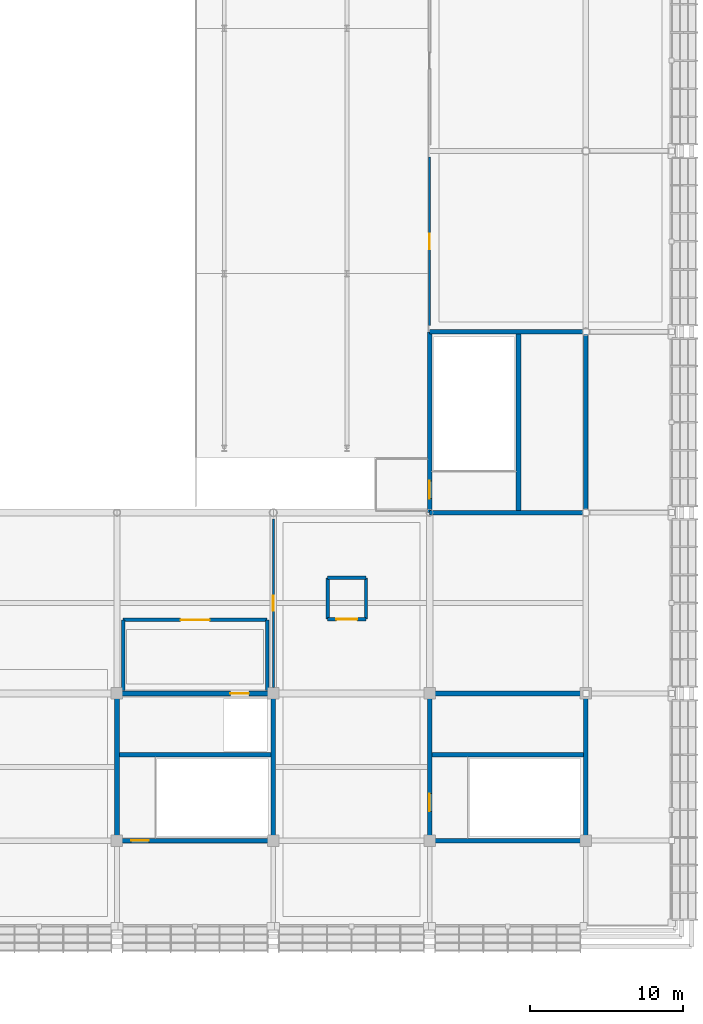
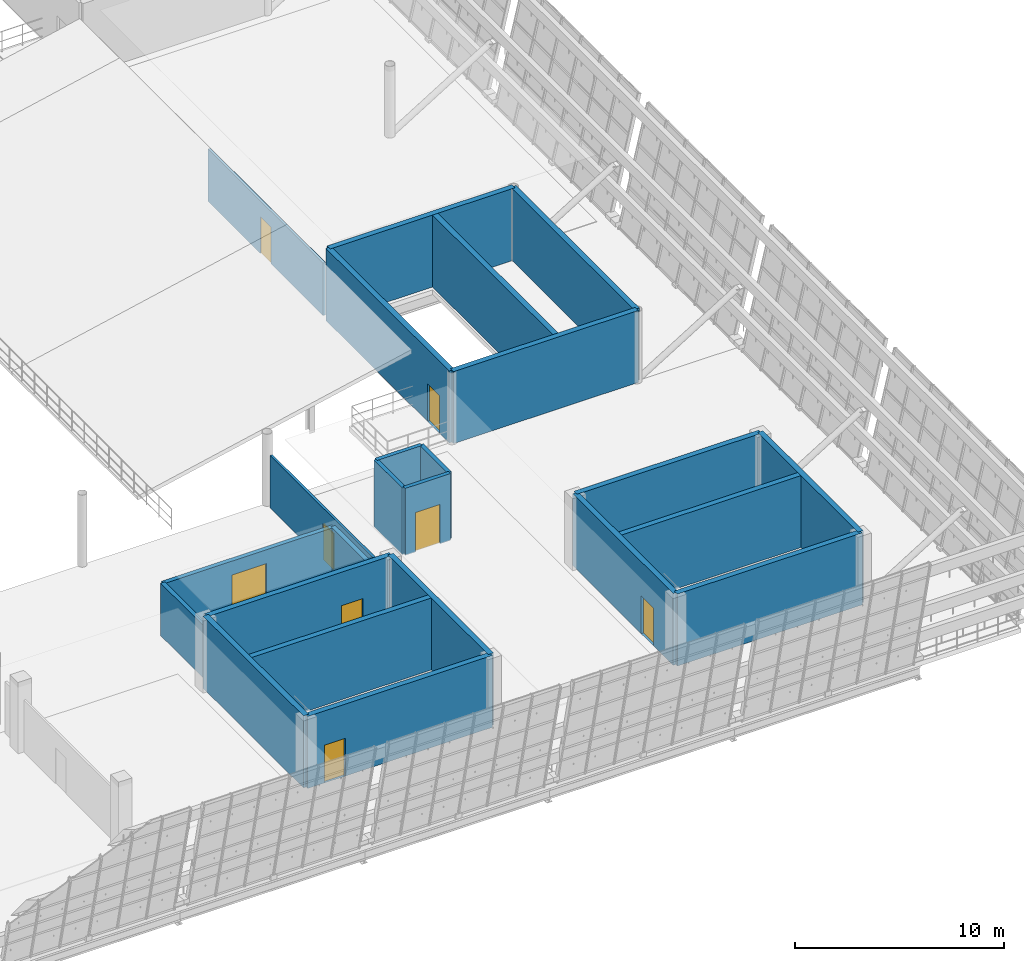
# One storey, part 130 of 157: 24 walls, 8 doors, 8 openings.
"""IFC4 building model written with IfcOpenShell, lengths in metres."""

from ifc_helpers import new_model, si_unit, direction, frame, frame_2d, origin, place, context, subcontext, project, spatial, rectangle, extrude, material, layer, layer_set, type_object, element, fill, save


model = new_model("IFC4")

# Units and contexts
model_context = context("Model", 3, precision=1e-05, world=origin(), true_north=direction((0.0, 1.0)))
body_context = subcontext(model_context, "Body", "Model", "MODEL_VIEW")
ifc_project = project(units=[si_unit("LENGTHUNIT", "METRE"), si_unit("AREAUNIT", "SQUARE_METRE"), si_unit("VOLUMEUNIT", "CUBIC_METRE"), si_unit("PLANEANGLEUNIT", "RADIAN"), si_unit("MASSUNIT", "GRAM", prefix="KILO")], contexts=[model_context])

# Site, building, storey
site_placement = place(None, origin())
site = spatial("IfcSite", under=ifc_project, at=site_placement, CompositionType="ELEMENT")
building_placement = place(site_placement, origin())
building = spatial("IfcBuilding", under=site, at=building_placement, Name="Brelvane Convention Centre", CompositionType="ELEMENT")
storey_placement = place(building_placement, frame((0.0, 0.0, 10.800048828125)))
storey = spatial("IfcBuildingStorey", under=building, at=storey_placement, Name="L02", CompositionType="ELEMENT", Elevation=10.800048828125)

# Wall, opening, door
ifc_material_1 = material(Name="Concrete M40", Category="concrete")
ifc_layer_1 = layer(ifc_material_1, 0.219970703125)
ifc_layer_set_1 = layer_set([ifc_layer_1], Name="Concrete M40")
wall_type_1 = type_object("IfcWallType", Name="Interior Wall IW-FR-220", PredefinedType="PARTITIONING", material=ifc_layer_set_1)
wall_1_placement = place(storey_placement, frame((207.550048828125, 33.64990234375, 0.0), z_axis=(0.0, 0.0, 1.0), x_axis=(1.0, 0.0, 0.0)))
wall_1 = element("IfcWall", 1, at=wall_1_placement, inside=storey, type_object=wall_type_1, Name="Lift LP-05 Shaft Wall S (L02)", PredefinedType="PARTITIONING", context=body_context, shape_type="SweptSolid", body=[
    extrude(rectangle(XDim=2.5, YDim=0.219970703125, at=frame_2d((1.25, 0.0))), origin(), (0.0, 0.0, 1.0), 3.89990234375),
])
opening_1_placement = place(wall_1_placement, frame((0.574951171875, 0.0, 0.0)))
opening_1 = element("IfcOpeningElement", 2, at=opening_1_placement, cuts=wall_1, Name="Opening LD-03", PredefinedType="OPENING", context=body_context, shape_type="SweptSolid", body=[
    extrude(rectangle(XDim=1.35009765625, YDim=2.300048828125, at=frame_2d((0.675048828125, 1.14990234375))), frame((0.0, 0.119873046875, 0.0), z_axis=(0.0, -1.0, 0.0), x_axis=(1.0, 0.0, 0.0)), (0.0, 0.0, 1.0), 0.239990234375),
])
ifc_material_2 = material(Name="Galvanised Hollow-Metal Fire Door Steel E250", Category="steel")
door_type_1 = type_object("IfcDoorType", Name="Interior Door LD-03", OperationType="NOTDEFINED", PredefinedType="DOOR", material=ifc_material_2)
door_1_placement = place(opening_1_placement, origin())
door_1 = element("IfcDoor", 3, at=door_1_placement, inside=storey, type_object=door_type_1, Name="Lift LP-05 Landing Door (L02)", OperationType="DOUBLE_DOOR_SLIDING", OverallHeight=2.300048828125, OverallWidth=1.35009765625, PredefinedType="DOOR", context=body_context, shape_type="SweptSolid", body=[
    extrude(rectangle(XDim=1.35009765625, YDim=2.300048828125, at=frame_2d((0.675048828125, 1.14990234375))), frame((0.0, 0.02490234375, 0.0), z_axis=(0.0, -1.0, 0.0), x_axis=(1.0, 0.0, 0.0)), (0.0, 0.0, 1.0), 0.050048828125),
])
fill(opening_1, door_1)

# Walls
wall_2_placement = place(storey_placement, frame((207.550048828125, 36.35009765625, 0.0), z_axis=(0.0, 0.0, 1.0), x_axis=(1.0, 0.0, 0.0)))
element("IfcWall", 4, at=wall_2_placement, inside=storey, type_object=wall_type_1, Name="Lift LP-05 Shaft Wall N (L02)", PredefinedType="PARTITIONING", context=body_context, shape_type="SweptSolid", body=[
    extrude(rectangle(XDim=2.5, YDim=0.219970703125, at=frame_2d((1.25, 0.0))), origin(), (0.0, 0.0, 1.0), 3.89990234375),
])
for number, where, z_axis, x_axis, name in (
    (5, (207.550048828125, 33.64990234375, 0.0), (0.0, 0.0, 1.0), (0.0, 1.0, 0.0), "Lift LP-05 Shaft Wall W (L02)"),
    (6, (210.050048828125, 33.64990234375, 0.0), (0.0, 0.0, 1.0), (0.0, 1.0, 0.0), "Lift LP-05 Shaft Wall E (L02)"),
):
    element("IfcWall", number, at=place(storey_placement, frame(where, z_axis=z_axis, x_axis=x_axis)), inside=storey, type_object=wall_type_1, Name=name, PredefinedType="PARTITIONING", context=body_context, shape_type="SweptSolid", body=[
        extrude(rectangle(XDim=2.7001953125, YDim=0.219970703125, at=frame_2d((1.35009765625, 0.0))), origin(), (0.0, 0.0, 1.0), 3.89990234375),
    ])

# Wall, opening, door
ifc_material_3 = material(Name="Concrete M40", Category="concrete")
ifc_layer_2 = layer(ifc_material_3, 0.239990234375)
ifc_layer_set_2 = layer_set([ifc_layer_2], Name="Concrete M40")
wall_type_2 = type_object("IfcWallType", Name="Interior Wall IW-FR-240", PredefinedType="PARTITIONING", material=ifc_layer_set_2)
wall_3_placement = place(storey_placement, frame((194.199951171875, 33.60009765625, 0.0), z_axis=(0.0, 0.0, 1.0), x_axis=(1.0, 0.0, 0.0)))
wall_3 = element("IfcWall", 7, at=wall_3_placement, inside=storey, type_object=wall_type_2, Name="Firefighting Lobby C8 Wall N (L02)", PredefinedType="PARTITIONING", context=body_context, shape_type="SweptSolid", body=[
    extrude(rectangle(XDim=9.400146484375, YDim=0.239990234375, at=frame_2d((4.7001953125, 0.0))), origin(), (0.0, 0.0, 1.0), 3.06005859375),
])
opening_2_placement = place(wall_3_placement, frame((3.75, 0.0, 0.0)))
opening_2 = element("IfcOpeningElement", 8, at=opening_2_placement, cuts=wall_3, Name="Opening DR-FL-01", PredefinedType="OPENING", context=body_context, shape_type="SweptSolid", body=[
    extrude(rectangle(XDim=1.89990234375, YDim=2.25, at=frame_2d((0.949951171875, 1.125))), frame((0.0, 0.1298828125, 0.0), z_axis=(0.0, -1.0, 0.0), x_axis=(1.0, 0.0, 0.0)), (0.0, 0.0, 1.0), 0.260009765625),
])
ifc_material_4 = material(Name="Galvanised Hollow-Metal Fire Door Steel E250", Category="steel")
door_type_2 = type_object("IfcDoorType", Name="Interior Door DR-FL-01", OperationType="NOTDEFINED", PredefinedType="DOOR", material=ifc_material_4)
door_2_placement = place(opening_2_placement, origin())
door_2 = element("IfcDoor", 9, at=door_2_placement, inside=storey, type_object=door_type_2, Name="Firefighting Lobby C8 Smoke Door (L02)", OperationType="DOUBLE_DOOR_SINGLE_SWING", OverallHeight=2.25, OverallWidth=1.89990234375, PredefinedType="DOOR", context=body_context, shape_type="SweptSolid", body=[
    extrude(rectangle(XDim=1.89990234375, YDim=2.25, at=frame_2d((0.949951171875, 1.125))), frame((0.0, 0.02490234375, 0.0), z_axis=(0.0, -1.0, 0.0), x_axis=(1.0, 0.0, 0.0)), (0.0, 0.0, 1.0), 0.050048828125),
])
fill(opening_2, door_2)

# Walls
for number, where, z_axis, x_axis, name in (
    (10, (203.60009765625, 29.0, 0.0), (0.0, 0.0, 1.0), (0.0, 1.0, 0.0), "Firefighting Lobby C8 Wall E (L02)"),
    (11, (194.199951171875, 29.0, 0.0), (0.0, 0.0, 1.0), (0.0, 1.0, 0.0), "Firefighting Lobby C8 Wall W (L02)"),
):
    element("IfcWall", number, at=place(storey_placement, frame(where, z_axis=z_axis, x_axis=x_axis)), inside=storey, type_object=wall_type_2, Name=name, PredefinedType="PARTITIONING", context=body_context, shape_type="SweptSolid", body=[
        extrude(rectangle(XDim=4.60009765625, YDim=0.239990234375, at=frame_2d((2.300048828125, 0.0))), origin(), (0.0, 0.0, 1.0), 3.06005859375),
    ])

# Wall, opening, door
ifc_material_5 = material(Name="Fire-Rated Acoustic Gypsum Partition Board Grade A")
ifc_layer_3 = layer(ifc_material_5, 0.135009765625)
ifc_layer_set_3 = layer_set([ifc_layer_3], Name="Fire-Rated Acoustic Gypsum Partition Board Grade A")
wall_type_3 = type_object("IfcWallType", Name="Interior Wall IW-PT-135", PredefinedType="PARTITIONING", material=ifc_layer_set_3)
wall_4_placement = place(storey_placement, frame((214.199951171875, 52.800048828125, 0.0), z_axis=(0.0, 0.0, 1.0), x_axis=(0.0, 1.0, 0.0)))
wall_4 = element("IfcWall", 12, at=wall_4_placement, inside=storey, type_object=wall_type_3, Name="Interior Partition L02-INTP", PredefinedType="PARTITIONING", context=body_context, shape_type="SweptSolid", body=[
    extrude(rectangle(XDim=11.0, YDim=0.135009765625, at=frame_2d((5.5, 0.0))), origin(), (0.0, 0.0, 1.0), 3.06005859375),
])
opening_3_placement = place(wall_4_placement, frame((5.0, 0.0, 0.0)))
opening_3 = element("IfcOpeningElement", 13, at=opening_3_placement, cuts=wall_4, Name="Opening DR-IN-01L", PredefinedType="OPENING", context=body_context, shape_type="SweptSolid", body=[
    extrude(rectangle(XDim=1.0, YDim=2.14990234375, at=frame_2d((0.5, 1.074951171875))), frame((0.0, 0.077392578125, 0.0), z_axis=(0.0, -1.0, 0.0), x_axis=(1.0, 0.0, 0.0)), (0.0, 0.0, 1.0), 0.155029296875),
])
ifc_material_6 = material(Name="Solid-Core Fire-Rated Hardwood Leaf Grade 1", Category="wood")
door_type_3 = type_object("IfcDoorType", Name="Interior Door DR-IN-01L", OperationType="NOTDEFINED", PredefinedType="DOOR", material=ifc_material_6)
door_3_placement = place(opening_3_placement, origin())
door_3 = element("IfcDoor", 14, at=door_3_placement, inside=storey, type_object=door_type_3, Name="Interior Door L02-INTP (DR-IN-01L)", OperationType="SINGLE_SWING_LEFT", OverallHeight=2.14990234375, OverallWidth=1.0, PredefinedType="DOOR", context=body_context, shape_type="SweptSolid", body=[
    extrude(rectangle(XDim=1.0, YDim=2.14990234375, at=frame_2d((0.5, 1.074951171875))), frame((0.0, 0.02490234375, 0.0), z_axis=(0.0, -1.0, 0.0), x_axis=(1.0, 0.0, 0.0)), (0.0, 0.0, 1.0), 0.050048828125),
])
fill(opening_3, door_3)

wall_5_placement = place(storey_placement, frame((204.0, 29.199951171875, 0.0), z_axis=(0.0, 0.0, 1.0), x_axis=(0.0, 1.0, 0.0)))
wall_5 = element("IfcWall", 15, at=wall_5_placement, inside=storey, type_object=wall_type_3, Name="Interior Partition L02-DLNG", PredefinedType="PARTITIONING", context=body_context, shape_type="SweptSolid", body=[
    extrude(rectangle(XDim=11.0, YDim=0.135009765625, at=frame_2d((5.5, 0.0))), origin(), (0.0, 0.0, 1.0), 3.06005859375),
])
opening_4_placement = place(wall_5_placement, frame((5.010009765625, 0.0, 0.0)))
opening_4 = element("IfcOpeningElement", 16, at=opening_4_placement, cuts=wall_5, Name="Opening DR-IN-12L", PredefinedType="OPENING", context=body_context, shape_type="SweptSolid", body=[
    extrude(rectangle(XDim=0.97998046875, YDim=2.1201171875, at=frame_2d((0.489990234375, 1.06005859375))), frame((0.0, 0.077392578125, 0.0), z_axis=(0.0, -1.0, 0.0), x_axis=(1.0, 0.0, 0.0)), (0.0, 0.0, 1.0), 0.155029296875),
])
ifc_material_7 = material(Name="Solid-Core Fire-Rated Hardwood Leaf Grade 1", Category="wood")
door_type_4 = type_object("IfcDoorType", Name="Interior Door DR-IN-12L", OperationType="NOTDEFINED", PredefinedType="DOOR", material=ifc_material_7)
door_4_placement = place(opening_4_placement, origin())
door_4 = element("IfcDoor", 17, at=door_4_placement, inside=storey, type_object=door_type_4, Name="Interior Door L02-DLNG (DR-IN-12L)", OperationType="SINGLE_SWING_LEFT", OverallHeight=2.1201171875, OverallWidth=0.97998046875, PredefinedType="DOOR", context=body_context, shape_type="SweptSolid", body=[
    extrude(rectangle(XDim=0.97998046875, YDim=2.1201171875, at=frame_2d((0.489990234375, 1.06005859375))), frame((0.0, 0.02490234375, 0.0), z_axis=(0.0, -1.0, 0.0), x_axis=(1.0, 0.0, 0.0)), (0.0, 0.0, 1.0), 0.050048828125),
])
fill(opening_4, door_4)

ifc_material_8 = material(Name="Concrete M50", Category="concrete")
ifc_layer_4 = layer(ifc_material_8, 0.300048828125)
ifc_layer_set_4 = layer_set([ifc_layer_4], Name="Concrete M50")
wall_type_4 = type_object("IfcWallType", Name="Structural Wall WL-CORE-300", PredefinedType="SHEAR", material=ifc_layer_set_4)
wall_6_placement = place(storey_placement, frame((193.800048828125, 19.199951171875, 0.0), z_axis=(0.0, 0.0, 1.0), x_axis=(1.0, 0.0, 0.0)))
wall_6 = element("IfcWall", 18, at=wall_6_placement, inside=storey, type_object=wall_type_4, Name="Core C8 Shear Wall S (L02)", PredefinedType="SHEAR", context=body_context, shape_type="SweptSolid", body=[
    extrude(rectangle(XDim=10.199951171875, YDim=0.300048828125, at=frame_2d((5.10009765625, 0.0))), origin(), (0.0, 0.0, 1.0), 4.199951171875),
])
opening_5_placement = place(wall_6_placement, frame((0.919921875, 0.0, 0.0)))
opening_5 = element("IfcOpeningElement", 19, at=opening_5_placement, cuts=wall_6, Name="Opening DR-IN-04L", PredefinedType="OPENING", context=body_context, shape_type="SweptSolid", body=[
    extrude(rectangle(XDim=1.159912109375, YDim=2.199951171875, at=frame_2d((0.580078125, 1.10009765625))), frame((0.0, 0.159912109375, 0.0), z_axis=(0.0, -1.0, 0.0), x_axis=(1.0, 0.0, 0.0)), (0.0, 0.0, 1.0), 0.320068359375),
])
ifc_material_9 = material(Name="Galvanised Hollow-Metal Fire Door Steel E250", Category="steel")
door_type_5 = type_object("IfcDoorType", Name="Interior Door DR-IN-04L", OperationType="NOTDEFINED", PredefinedType="DOOR", material=ifc_material_9)
door_5_placement = place(opening_5_placement, origin())
door_5 = element("IfcDoor", 20, at=door_5_placement, inside=storey, type_object=door_type_5, Name="Stair ST-08 Door (L02)", OperationType="SINGLE_SWING_LEFT", OverallHeight=2.199951171875, OverallWidth=1.159912109375, PredefinedType="DOOR", context=body_context, shape_type="SweptSolid", body=[
    extrude(rectangle(XDim=1.159912109375, YDim=2.199951171875, at=frame_2d((0.580078125, 1.10009765625))), frame((0.0, 0.02490234375, 0.0), z_axis=(0.0, -1.0, 0.0), x_axis=(1.0, 0.0, 0.0)), (0.0, 0.0, 1.0), 0.050048828125),
])
fill(opening_5, door_5)

wall_7_placement = place(storey_placement, frame((193.800048828125, 28.800048828125, 0.0), z_axis=(0.0, 0.0, 1.0), x_axis=(1.0, 0.0, 0.0)))
wall_7 = element("IfcWall", 21, at=wall_7_placement, inside=storey, type_object=wall_type_4, Name="Core C8 Shear Wall N (L02)", PredefinedType="SHEAR", context=body_context, shape_type="SweptSolid", body=[
    extrude(rectangle(XDim=10.199951171875, YDim=0.300048828125, at=frame_2d((5.10009765625, 0.0))), origin(), (0.0, 0.0, 1.0), 4.199951171875),
])
opening_6_placement = place(wall_7_placement, frame((7.39990234375, 0.0, 0.0)))
opening_6 = element("IfcOpeningElement", 22, at=opening_6_placement, cuts=wall_7, Name="Opening LD-01", PredefinedType="OPENING", context=body_context, shape_type="SweptSolid", body=[
    extrude(rectangle(XDim=1.199951171875, YDim=2.25, at=frame_2d((0.60009765625, 1.125))), frame((0.0, 0.159912109375, 0.0), z_axis=(0.0, -1.0, 0.0), x_axis=(1.0, 0.0, 0.0)), (0.0, 0.0, 1.0), 0.320068359375),
])
ifc_material_10 = material(Name="Galvanised Hollow-Metal Fire Door Steel E250", Category="steel")
door_type_6 = type_object("IfcDoorType", Name="Interior Door LD-01", OperationType="NOTDEFINED", PredefinedType="DOOR", material=ifc_material_10)
door_6_placement = place(opening_6_placement, origin())
door_6 = element("IfcDoor", 23, at=door_6_placement, inside=storey, type_object=door_type_6, Name="Lift LF-05 Landing Door (L02)", OperationType="SLIDING_TO_LEFT", OverallHeight=2.25, OverallWidth=1.199951171875, PredefinedType="DOOR", context=body_context, shape_type="SweptSolid", body=[
    extrude(rectangle(XDim=1.199951171875, YDim=2.25, at=frame_2d((0.60009765625, 1.125))), frame((0.0, 0.02490234375, 0.0), z_axis=(0.0, -1.0, 0.0), x_axis=(1.0, 0.0, 0.0)), (0.0, 0.0, 1.0), 0.050048828125),
])
fill(opening_6, door_6)

# Walls
for number, where, z_axis, x_axis, name in (
    (24, (193.800048828125, 19.199951171875, 0.0), (0.0, 0.0, 1.0), (0.0, 1.0, 0.0), "Core C8 Shear Wall W (L02)"),
    (25, (204.0, 19.199951171875, 0.0), (0.0, 0.0, 1.0), (0.0, 1.0, 0.0), "Core C8 Shear Wall E (L02)"),
):
    element("IfcWall", number, at=place(storey_placement, frame(where, z_axis=z_axis, x_axis=x_axis)), inside=storey, type_object=wall_type_4, Name=name, PredefinedType="SHEAR", context=body_context, shape_type="SweptSolid", body=[
        extrude(rectangle(XDim=9.60009765625, YDim=0.300048828125, at=frame_2d((4.800048828125, 0.0))), origin(), (0.0, 0.0, 1.0), 4.199951171875),
    ])
wall_8_placement = place(storey_placement, frame((193.949951171875, 24.800048828125, 0.0), z_axis=(0.0, 0.0, 1.0), x_axis=(1.0, 0.0, 0.0)))
element("IfcWall", 26, at=wall_8_placement, inside=storey, type_object=wall_type_4, Name="Core C8 Shaft Divider Wall (L02)", PredefinedType="SHEAR", context=body_context, shape_type="SweptSolid", body=[
    extrude(rectangle(XDim=9.900146484375, YDim=0.300048828125, at=frame_2d((4.9501953125, 0.0))), origin(), (0.0, 0.0, 1.0), 4.199951171875),
])
for number, where, z_axis, x_axis, name in (
    (27, (214.199951171875, 19.199951171875, 0.0), (0.0, 0.0, 1.0), (1.0, 0.0, 0.0), "Stair Core ST-14 Wall S (L02)"),
    (28, (214.199951171875, 28.800048828125, 0.0), (0.0, 0.0, 1.0), (1.0, 0.0, 0.0), "Stair Core ST-14 Wall N (L02)"),
):
    element("IfcWall", number, at=place(storey_placement, frame(where, z_axis=z_axis, x_axis=x_axis)), inside=storey, type_object=wall_type_4, Name=name, PredefinedType="SHEAR", context=body_context, shape_type="SweptSolid", body=[
        extrude(rectangle(XDim=10.199951171875, YDim=0.300048828125, at=frame_2d((5.10009765625, 0.0))), origin(), (0.0, 0.0, 1.0), 4.199951171875),
    ])

# Wall, opening, door
wall_9_placement = place(storey_placement, frame((214.199951171875, 19.199951171875, 0.0), z_axis=(0.0, 0.0, 1.0), x_axis=(0.0, 1.0, 0.0)))
wall_9 = element("IfcWall", 29, at=wall_9_placement, inside=storey, type_object=wall_type_4, Name="Stair Core ST-14 Wall W (L02)", PredefinedType="SHEAR", context=body_context, shape_type="SweptSolid", body=[
    extrude(rectangle(XDim=9.60009765625, YDim=0.300048828125, at=frame_2d((4.800048828125, 0.0))), origin(), (0.0, 0.0, 1.0), 4.199951171875),
])
opening_7_placement = place(wall_9_placement, frame((1.89990234375, 0.0, 0.0)))
opening_7 = element("IfcOpeningElement", 30, at=opening_7_placement, cuts=wall_9, Name="Opening DR-IN-04L", PredefinedType="OPENING", context=body_context, shape_type="SweptSolid", body=[
    extrude(rectangle(XDim=1.159912109375, YDim=2.199951171875, at=frame_2d((0.580078125, 1.10009765625))), frame((0.0, 0.159912109375, 0.0), z_axis=(0.0, -1.0, 0.0), x_axis=(1.0, 0.0, 0.0)), (0.0, 0.0, 1.0), 0.320068359375),
])
door_7_placement = place(opening_7_placement, origin())
door_7 = element("IfcDoor", 31, at=door_7_placement, inside=storey, type_object=door_type_5, Name="Stair ST-14 Entry Door (L02)", OperationType="SINGLE_SWING_LEFT", OverallHeight=2.199951171875, OverallWidth=1.159912109375, PredefinedType="DOOR", context=body_context, shape_type="SweptSolid", body=[
    extrude(rectangle(XDim=1.159912109375, YDim=2.199951171875, at=frame_2d((0.580078125, 1.10009765625))), frame((0.0, 0.02490234375, 0.0), z_axis=(0.0, -1.0, 0.0), x_axis=(1.0, 0.0, 0.0)), (0.0, 0.0, 1.0), 0.050048828125),
])
fill(opening_7, door_7)

# Walls
wall_10_placement = place(storey_placement, frame((224.39990234375, 19.199951171875, 0.0), z_axis=(0.0, 0.0, 1.0), x_axis=(0.0, 1.0, 0.0)))
element("IfcWall", 32, at=wall_10_placement, inside=storey, type_object=wall_type_4, Name="Stair Core ST-14 Wall E (L02)", PredefinedType="SHEAR", context=body_context, shape_type="SweptSolid", body=[
    extrude(rectangle(XDim=9.60009765625, YDim=0.300048828125, at=frame_2d((4.800048828125, 0.0))), origin(), (0.0, 0.0, 1.0), 4.199951171875),
])
wall_11_placement = place(storey_placement, frame((214.35009765625, 24.800048828125, 0.0), z_axis=(0.0, 0.0, 1.0), x_axis=(1.0, 0.0, 0.0)))
element("IfcWall", 33, at=wall_11_placement, inside=storey, type_object=wall_type_4, Name="Stair Core ST-14 Well Wall (L02)", PredefinedType="SHEAR", context=body_context, shape_type="SweptSolid", body=[
    extrude(rectangle(XDim=9.89990234375, YDim=0.300048828125, at=frame_2d((4.949951171875, 0.0))), origin(), (0.0, 0.0, 1.0), 4.199951171875),
])
for number, where, z_axis, x_axis, name in (
    (34, (214.199951171875, 40.60009765625, 0.0), (0.0, 0.0, 1.0), (1.0, 0.0, 0.0), "Stair Core ST-15 Wall S (L02)"),
    (35, (214.199951171875, 52.39990234375, 0.0), (0.0, 0.0, 1.0), (1.0, 0.0, 0.0), "Stair Core ST-15 Wall N (L02)"),
):
    element("IfcWall", number, at=place(storey_placement, frame(where, z_axis=z_axis, x_axis=x_axis)), inside=storey, type_object=wall_type_4, Name=name, PredefinedType="SHEAR", context=body_context, shape_type="SweptSolid", body=[
        extrude(rectangle(XDim=10.199951171875, YDim=0.300048828125, at=frame_2d((5.10009765625, 0.0))), origin(), (0.0, 0.0, 1.0), 4.199951171875),
    ])

# Wall, opening, door
wall_12_placement = place(storey_placement, frame((214.199951171875, 40.60009765625, 0.0), z_axis=(0.0, 0.0, 1.0), x_axis=(0.0, 1.0, 0.0)))
wall_12 = element("IfcWall", 36, at=wall_12_placement, inside=storey, type_object=wall_type_4, Name="Stair Core ST-15 Wall W (L02)", PredefinedType="SHEAR", context=body_context, shape_type="SweptSolid", body=[
    extrude(rectangle(XDim=11.7998046875, YDim=0.300048828125, at=frame_2d((5.89990234375, 0.0))), origin(), (0.0, 0.0, 1.0), 4.199951171875),
])
opening_8_placement = place(wall_12_placement, frame((0.919921875, 0.0, 0.0)))
opening_8 = element("IfcOpeningElement", 37, at=opening_8_placement, cuts=wall_12, Name="Opening DR-IN-04L", PredefinedType="OPENING", context=body_context, shape_type="SweptSolid", body=[
    extrude(rectangle(XDim=1.159912109375, YDim=2.199951171875, at=frame_2d((0.580078125, 1.10009765625))), frame((0.0, 0.159912109375, 0.0), z_axis=(0.0, -1.0, 0.0), x_axis=(1.0, 0.0, 0.0)), (0.0, 0.0, 1.0), 0.320068359375),
])
door_8_placement = place(opening_8_placement, origin())
door_8 = element("IfcDoor", 38, at=door_8_placement, inside=storey, type_object=door_type_5, Name="Stair ST-15 Entry Door (L02)", OperationType="SINGLE_SWING_LEFT", OverallHeight=2.199951171875, OverallWidth=1.159912109375, PredefinedType="DOOR", context=body_context, shape_type="SweptSolid", body=[
    extrude(rectangle(XDim=1.159912109375, YDim=2.199951171875, at=frame_2d((0.580078125, 1.10009765625))), frame((0.0, 0.02490234375, 0.0), z_axis=(0.0, -1.0, 0.0), x_axis=(1.0, 0.0, 0.0)), (0.0, 0.0, 1.0), 0.050048828125),
])
fill(opening_8, door_8)

# Walls
wall_13_placement = place(storey_placement, frame((224.39990234375, 40.60009765625, 0.0), z_axis=(0.0, 0.0, 1.0), x_axis=(0.0, 1.0, 0.0)))
element("IfcWall", 39, at=wall_13_placement, inside=storey, type_object=wall_type_4, Name="Stair Core ST-15 Wall E (L02)", PredefinedType="SHEAR", context=body_context, shape_type="SweptSolid", body=[
    extrude(rectangle(XDim=11.7998046875, YDim=0.300048828125, at=frame_2d((5.89990234375, 0.0))), origin(), (0.0, 0.0, 1.0), 4.199951171875),
])
wall_14_placement = place(storey_placement, frame((220.0, 40.75, 0.0), z_axis=(0.0, 0.0, 1.0), x_axis=(0.0, 1.0, 0.0)))
element("IfcWall", 40, at=wall_14_placement, inside=storey, type_object=wall_type_4, Name="Stair Core ST-15 Well Wall (L02)", PredefinedType="SHEAR", context=body_context, shape_type="SweptSolid", body=[
    extrude(rectangle(XDim=11.5, YDim=0.300048828125, at=frame_2d((5.75, 0.0))), origin(), (0.0, 0.0, 1.0), 4.199951171875),
])

save(model, "model.ifc")
